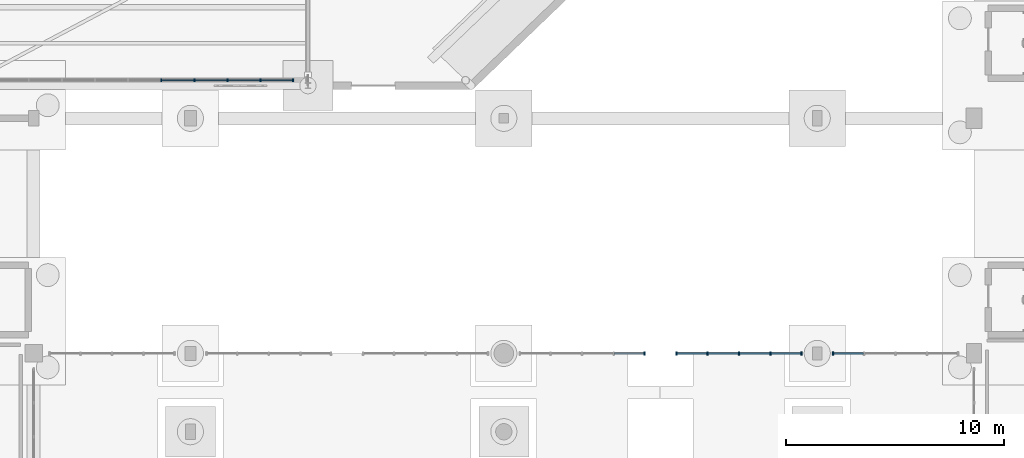
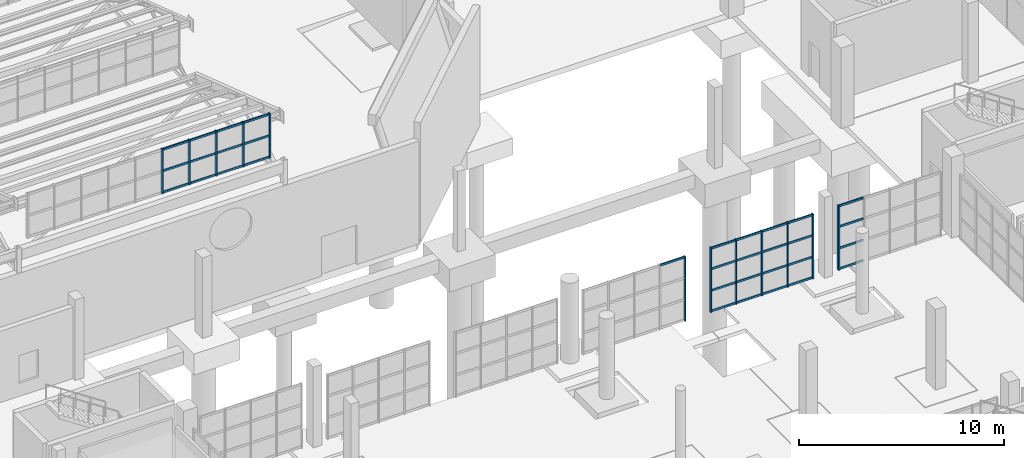
# One storey, part 113 of 285: 45 members, 4 elements without a shape of their own.
"""IFC4 building model written with IfcOpenShell, lengths in metres."""

from ifc_helpers import new_model, si_unit, direction, frame, origin, origin_2d, place, context, subcontext, project, spatial, rectangle, extrude, material, material_profile, profile_set, type_object, element, aggregate, save


model = new_model("IFC4")

# Units and contexts
model_context = context("Model", 3, precision=1e-05, world=origin(), true_north=direction((0.0, 1.0)))
body_context = subcontext(model_context, "Body", "Model", "MODEL_VIEW")
ifc_project = project(units=[si_unit("LENGTHUNIT", "METRE"), si_unit("AREAUNIT", "SQUARE_METRE"), si_unit("VOLUMEUNIT", "CUBIC_METRE"), si_unit("PLANEANGLEUNIT", "RADIAN"), si_unit("MASSUNIT", "GRAM", prefix="KILO")], contexts=[model_context])

# Site, building, storey
site_placement = place(None, origin())
site = spatial("IfcSite", under=ifc_project, at=site_placement, CompositionType="ELEMENT")
building_placement = place(site_placement, origin())
building = spatial("IfcBuilding", under=site, at=building_placement, Name="Solanera Park Tramway Depot", CompositionType="ELEMENT")
storey_placement = place(building_placement, origin())
storey = spatial("IfcBuildingStorey", under=building, at=storey_placement, Name="L00", CompositionType="ELEMENT", Elevation=0.0)

# Curtain wall, members
ifc_material_1 = material(Name="Bronze-anodised thermally broken aluminium curtain wall", Category="aluminium")
curtain_wall_type_1 = type_object("IfcCurtainWallType", Name="Sawtooth Clerestory Monitor Curtain Wall", PredefinedType="NOTDEFINED", material=ifc_material_1)
curtain_wall_1_placement = place(storey_placement, origin())
curtain_wall_1 = element("IfcCurtainWall", 1, at=curtain_wall_1_placement, inside=storey, type_object=curtain_wall_type_1, Name="L00 Sawtooth Clerestory Monitor Curtain Wall #003", PredefinedType="NOTDEFINED")
ifc_material_2 = material(Name="Bronze-anodised structural aluminium 6063-T6", Category="aluminium")
ifc_material_profile_1 = material_profile(ifc_material_2, rectangle(XDim=0.06494140625, YDim=0.14990234375, at=origin_2d()), Name="Curtain Wall Mullion 65x150")
ifc_profile_set_1 = profile_set([ifc_material_profile_1], Name="Bronze-anodised structural aluminium 6063-T6")
member_type_1 = type_object("IfcMemberType", Name="Curtain Wall Mullion 65x150", PredefinedType="MULLION", material=ifc_profile_set_1)
member_1_placement = place(storey_placement, frame((128.260986328125, 55.75, 7.75), z_axis=(0.0, 0.0, 1.0), x_axis=(1.0, 0.0, 0.0)))
member_1 = element("IfcMember", 2, at=member_1_placement, type_object=member_type_1, Name="CW-L00-003 Mullion 6", PredefinedType="MULLION", context=body_context, shape_type="SweptSolid", body=[
    extrude(rectangle(XDim=0.06494140625, YDim=0.14990234375, at=origin_2d()), origin(), (0.0, 0.0, 1.0), 2.6611328125),
])
member_2_placement = place(storey_placement, frame((129.783203125, 55.75, 7.75), z_axis=(0.0, 0.0, 1.0), x_axis=(1.0, 0.0, 0.0)))
member_2 = element("IfcMember", 3, at=member_2_placement, type_object=member_type_1, Name="CW-L00-003 Mullion 7", PredefinedType="MULLION", context=body_context, shape_type="SweptSolid", body=[
    extrude(rectangle(XDim=0.06494140625, YDim=0.14990234375, at=origin_2d()), origin(), (0.0, 0.0, 1.0), 2.6611328125),
])
member_3_placement = place(storey_placement, frame((131.3056640625, 55.75, 7.75), z_axis=(0.0, 0.0, 1.0), x_axis=(1.0, 0.0, 0.0)))
member_3 = element("IfcMember", 4, at=member_3_placement, type_object=member_type_1, Name="CW-L00-003 Mullion 8", PredefinedType="MULLION", context=body_context, shape_type="SweptSolid", body=[
    extrude(rectangle(XDim=0.06494140625, YDim=0.14990234375, at=origin_2d()), origin(), (0.0, 0.0, 1.0), 2.6611328125),
])
member_4_placement = place(storey_placement, frame((132.827880859375, 55.75, 7.75), z_axis=(0.0, 0.0, 1.0), x_axis=(1.0, 0.0, 0.0)))
member_4 = element("IfcMember", 5, at=member_4_placement, type_object=member_type_1, Name="CW-L00-003 Mullion 9", PredefinedType="MULLION", context=body_context, shape_type="SweptSolid", body=[
    extrude(rectangle(XDim=0.06494140625, YDim=0.14990234375, at=origin_2d()), origin(), (0.0, 0.0, 1.0), 2.6611328125),
])
member_5_placement = place(storey_placement, frame((134.3173828125, 55.75, 7.75), z_axis=(0.0, 0.0, 1.0), x_axis=(1.0, 0.0, 0.0)))
member_5 = element("IfcMember", 6, at=member_5_placement, type_object=member_type_1, Name="CW-L00-003 Mullion 10", PredefinedType="MULLION", context=body_context, shape_type="SweptSolid", body=[
    extrude(rectangle(XDim=0.06494140625, YDim=0.14990234375, at=origin_2d()), origin(), (0.0, 0.0, 1.0), 2.6611328125),
])

# Curtain wall, member
ifc_material_3 = material(Name="Bronze-anodised thermally broken aluminium curtain wall", Category="aluminium")
curtain_wall_type_2 = type_object("IfcCurtainWallType", Name="Courtyard Cloister Unitised Curtain Wall", PredefinedType="NOTDEFINED", material=ifc_material_3)
curtain_wall_2_placement = place(storey_placement, origin())
curtain_wall_2 = element("IfcCurtainWall", 7, at=curtain_wall_2_placement, inside=storey, type_object=curtain_wall_type_2, Name="L00 Courtyard Cloister Unitised Curtain Wall #081", PredefinedType="NOTDEFINED")
member_6_placement = place(storey_placement, frame((150.467529296875, 43.199951171875, 0.0), z_axis=(0.0, 0.0, 1.0), x_axis=(1.0, 0.0, 0.0)))
member_6 = element("IfcMember", 8, at=member_6_placement, type_object=member_type_1, Name="CW-L00-081 Mullion 1", PredefinedType="MULLION", context=body_context, shape_type="SweptSolid", body=[
    extrude(rectangle(XDim=0.06494140625, YDim=0.14990234375, at=origin_2d()), origin(), (0.0, 0.0, 1.0), 3.85009765625),
])

# Curtain wall, members
curtain_wall_3_placement = place(storey_placement, origin())
curtain_wall_3 = element("IfcCurtainWall", 9, at=curtain_wall_3_placement, inside=storey, type_object=curtain_wall_type_2, Name="L00 Courtyard Cloister Unitised Curtain Wall #082", PredefinedType="NOTDEFINED")
member_7_placement = place(storey_placement, frame((157.66748046875, 43.199951171875, 0.0), z_axis=(0.0, 0.0, 1.0), x_axis=(1.0, 0.0, 0.0)))
member_7 = element("IfcMember", 10, at=member_7_placement, type_object=member_type_1, Name="CW-L00-082 Mullion 1", PredefinedType="MULLION", context=body_context, shape_type="SweptSolid", body=[
    extrude(rectangle(XDim=0.06494140625, YDim=0.14990234375, at=origin_2d()), origin(), (0.0, 0.0, 1.0), 3.85009765625),
])
member_8_placement = place(storey_placement, frame((156.25, 43.199951171875, 0.0), z_axis=(0.0, 0.0, 1.0), x_axis=(1.0, 0.0, 0.0)))
member_8 = element("IfcMember", 11, at=member_8_placement, type_object=member_type_1, Name="CW-L00-082 Mullion 2", PredefinedType="MULLION", context=body_context, shape_type="SweptSolid", body=[
    extrude(rectangle(XDim=0.06494140625, YDim=0.14990234375, at=origin_2d()), origin(), (0.0, 0.0, 1.0), 3.85009765625),
])
member_9_placement = place(storey_placement, frame((154.800048828125, 43.199951171875, 0.0), z_axis=(0.0, 0.0, 1.0), x_axis=(1.0, 0.0, 0.0)))
member_9 = element("IfcMember", 12, at=member_9_placement, type_object=member_type_1, Name="CW-L00-082 Mullion 3", PredefinedType="MULLION", context=body_context, shape_type="SweptSolid", body=[
    extrude(rectangle(XDim=0.06494140625, YDim=0.14990234375, at=origin_2d()), origin(), (0.0, 0.0, 1.0), 3.85009765625),
])
member_10_placement = place(storey_placement, frame((153.35009765625, 43.199951171875, 0.0), z_axis=(0.0, 0.0, 1.0), x_axis=(1.0, 0.0, 0.0)))
member_10 = element("IfcMember", 13, at=member_10_placement, type_object=member_type_1, Name="CW-L00-082 Mullion 4", PredefinedType="MULLION", context=body_context, shape_type="SweptSolid", body=[
    extrude(rectangle(XDim=0.06494140625, YDim=0.14990234375, at=origin_2d()), origin(), (0.0, 0.0, 1.0), 3.85009765625),
])
member_11_placement = place(storey_placement, frame((151.9326171875, 43.199951171875, 0.0), z_axis=(0.0, 0.0, 1.0), x_axis=(1.0, 0.0, 0.0)))
member_11 = element("IfcMember", 14, at=member_11_placement, type_object=member_type_1, Name="CW-L00-082 Mullion 5", PredefinedType="MULLION", context=body_context, shape_type="SweptSolid", body=[
    extrude(rectangle(XDim=0.06494140625, YDim=0.14990234375, at=origin_2d()), origin(), (0.0, 0.0, 1.0), 3.85009765625),
])

# Curtain wall, member
curtain_wall_4_placement = place(storey_placement, origin())
curtain_wall_4 = element("IfcCurtainWall", 15, at=curtain_wall_4_placement, inside=storey, type_object=curtain_wall_type_2, Name="L00 Courtyard Cloister Unitised Curtain Wall #083", PredefinedType="NOTDEFINED")
member_12_placement = place(storey_placement, frame((159.132568359375, 43.199951171875, 0.0), z_axis=(0.0, 0.0, 1.0), x_axis=(1.0, 0.0, 0.0)))
member_12 = element("IfcMember", 16, at=member_12_placement, type_object=member_type_1, Name="CW-L00-083 Mullion 5", PredefinedType="MULLION", context=body_context, shape_type="SweptSolid", body=[
    extrude(rectangle(XDim=0.06494140625, YDim=0.14990234375, at=origin_2d()), origin(), (0.0, 0.0, 1.0), 3.85009765625),
])

# Member
ifc_material_4 = material(Name="Bronze-anodised structural aluminium 6063-T6", Category="aluminium")
ifc_material_profile_2 = material_profile(ifc_material_4, rectangle(XDim=0.06494140625, YDim=0.1201171875, at=origin_2d()), Name="Curtain Wall Transom 65x120")
ifc_profile_set_2 = profile_set([ifc_material_profile_2], Name="Bronze-anodised structural aluminium 6063-T6")
member_type_2 = type_object("IfcMemberType", Name="Curtain Wall Transom 65x120", PredefinedType="USERDEFINED", material=ifc_profile_set_2)
member_13_placement = place(storey_placement, frame((128.2890625, 55.75, 7.81005859375), z_axis=(1.0, 0.0, 0.0), x_axis=(0.0, 1.0, 0.0)))
member_13 = element("IfcMember", 17, at=member_13_placement, type_object=member_type_2, Name="CW-L00-003 Transom R1.C6", ObjectType="TRANSOM", PredefinedType="USERDEFINED", context=body_context, shape_type="SweptSolid", body=[
    extrude(rectangle(XDim=0.06494140625, YDim=0.1201171875, at=origin_2d()), origin(), (0.0, 0.0, 1.0), 1.46630859375),
])

member_14_placement = place(storey_placement, frame((129.811279296875, 55.75, 7.81005859375), z_axis=(1.0, 0.0, 0.0), x_axis=(0.0, 1.0, 0.0)))
member_14 = element("IfcMember", 18, at=member_14_placement, type_object=member_type_2, Name="CW-L00-003 Transom R1.C7", ObjectType="TRANSOM", PredefinedType="USERDEFINED", context=body_context, shape_type="SweptSolid", body=[
    extrude(rectangle(XDim=0.06494140625, YDim=0.1201171875, at=origin_2d()), origin(), (0.0, 0.0, 1.0), 1.46630859375),
])

member_15_placement = place(storey_placement, frame((131.33349609375, 55.75, 7.81005859375), z_axis=(1.0, 0.0, 0.0), x_axis=(0.0, 1.0, 0.0)))
member_15 = element("IfcMember", 19, at=member_15_placement, type_object=member_type_2, Name="CW-L00-003 Transom R1.C8", ObjectType="TRANSOM", PredefinedType="USERDEFINED", context=body_context, shape_type="SweptSolid", body=[
    extrude(rectangle(XDim=0.06494140625, YDim=0.1201171875, at=origin_2d()), origin(), (0.0, 0.0, 1.0), 1.46630859375),
])

member_16_placement = place(storey_placement, frame((132.855712890625, 55.75, 7.81005859375), z_axis=(1.0, 0.0, 0.0), x_axis=(0.0, 1.0, 0.0)))
member_16 = element("IfcMember", 20, at=member_16_placement, type_object=member_type_2, Name="CW-L00-003 Transom R1.C9", ObjectType="TRANSOM", PredefinedType="USERDEFINED", context=body_context, shape_type="SweptSolid", body=[
    extrude(rectangle(XDim=0.06494140625, YDim=0.1201171875, at=origin_2d()), origin(), (0.0, 0.0, 1.0), 1.433837890625),
])

member_17_placement = place(storey_placement, frame((128.2890625, 55.75, 9.08056640625), z_axis=(1.0, 0.0, 0.0), x_axis=(0.0, 1.0, 0.0)))
member_17 = element("IfcMember", 21, at=member_17_placement, type_object=member_type_2, Name="CW-L00-003 Transom R2.C6", ObjectType="TRANSOM", PredefinedType="USERDEFINED", context=body_context, shape_type="SweptSolid", body=[
    extrude(rectangle(XDim=0.06494140625, YDim=0.1201171875, at=origin_2d()), origin(), (0.0, 0.0, 1.0), 1.46630859375),
])

member_18_placement = place(storey_placement, frame((129.811279296875, 55.75, 9.08056640625), z_axis=(1.0, 0.0, 0.0), x_axis=(0.0, 1.0, 0.0)))
member_18 = element("IfcMember", 22, at=member_18_placement, type_object=member_type_2, Name="CW-L00-003 Transom R2.C7", ObjectType="TRANSOM", PredefinedType="USERDEFINED", context=body_context, shape_type="SweptSolid", body=[
    extrude(rectangle(XDim=0.06494140625, YDim=0.1201171875, at=origin_2d()), origin(), (0.0, 0.0, 1.0), 1.46630859375),
])

member_19_placement = place(storey_placement, frame((131.33349609375, 55.75, 9.08056640625), z_axis=(1.0, 0.0, 0.0), x_axis=(0.0, 1.0, 0.0)))
member_19 = element("IfcMember", 23, at=member_19_placement, type_object=member_type_2, Name="CW-L00-003 Transom R2.C8", ObjectType="TRANSOM", PredefinedType="USERDEFINED", context=body_context, shape_type="SweptSolid", body=[
    extrude(rectangle(XDim=0.06494140625, YDim=0.1201171875, at=origin_2d()), origin(), (0.0, 0.0, 1.0), 1.46630859375),
])

member_20_placement = place(storey_placement, frame((132.855712890625, 55.75, 9.08056640625), z_axis=(1.0, 0.0, 0.0), x_axis=(0.0, 1.0, 0.0)))
member_20 = element("IfcMember", 24, at=member_20_placement, type_object=member_type_2, Name="CW-L00-003 Transom R2.C9", ObjectType="TRANSOM", PredefinedType="USERDEFINED", context=body_context, shape_type="SweptSolid", body=[
    extrude(rectangle(XDim=0.06494140625, YDim=0.1201171875, at=origin_2d()), origin(), (0.0, 0.0, 1.0), 1.433837890625),
])

member_21_placement = place(storey_placement, frame((128.2890625, 55.75, 10.351318359375), z_axis=(1.0, 0.0, 0.0), x_axis=(0.0, 1.0, 0.0)))
member_21 = element("IfcMember", 25, at=member_21_placement, type_object=member_type_2, Name="CW-L00-003 Transom R3.C6", ObjectType="TRANSOM", PredefinedType="USERDEFINED", context=body_context, shape_type="SweptSolid", body=[
    extrude(rectangle(XDim=0.06494140625, YDim=0.1201171875, at=origin_2d()), origin(), (0.0, 0.0, 1.0), 1.46630859375),
])

member_22_placement = place(storey_placement, frame((129.811279296875, 55.75, 10.351318359375), z_axis=(1.0, 0.0, 0.0), x_axis=(0.0, 1.0, 0.0)))
member_22 = element("IfcMember", 26, at=member_22_placement, type_object=member_type_2, Name="CW-L00-003 Transom R3.C7", ObjectType="TRANSOM", PredefinedType="USERDEFINED", context=body_context, shape_type="SweptSolid", body=[
    extrude(rectangle(XDim=0.06494140625, YDim=0.1201171875, at=origin_2d()), origin(), (0.0, 0.0, 1.0), 1.46630859375),
])

member_23_placement = place(storey_placement, frame((131.33349609375, 55.75, 10.351318359375), z_axis=(1.0, 0.0, 0.0), x_axis=(0.0, 1.0, 0.0)))
member_23 = element("IfcMember", 27, at=member_23_placement, type_object=member_type_2, Name="CW-L00-003 Transom R3.C8", ObjectType="TRANSOM", PredefinedType="USERDEFINED", context=body_context, shape_type="SweptSolid", body=[
    extrude(rectangle(XDim=0.06494140625, YDim=0.1201171875, at=origin_2d()), origin(), (0.0, 0.0, 1.0), 1.46630859375),
])

member_24_placement = place(storey_placement, frame((132.855712890625, 55.75, 10.351318359375), z_axis=(1.0, 0.0, 0.0), x_axis=(0.0, 1.0, 0.0)))
member_24 = element("IfcMember", 28, at=member_24_placement, type_object=member_type_2, Name="CW-L00-003 Transom R3.C9", ObjectType="TRANSOM", PredefinedType="USERDEFINED", context=body_context, shape_type="SweptSolid", body=[
    extrude(rectangle(XDim=0.06494140625, YDim=0.1201171875, at=origin_2d()), origin(), (0.0, 0.0, 1.0), 1.433837890625),
])

aggregate(curtain_wall_1, [member_1, member_2, member_3, member_4, member_5, member_13, member_14, member_15, member_16, member_17, member_18, member_19, member_20, member_21, member_22, member_23, member_24])

member_25_placement = place(storey_placement, frame((150.439453125, 43.199951171875, 3.7900390625), z_axis=(-1.0, 0.0, 0.0), x_axis=(0.0, -1.0, 0.0)))
member_25 = element("IfcMember", 29, at=member_25_placement, type_object=member_type_2, Name="CW-L00-081 Transom R4.C1", ObjectType="TRANSOM", PredefinedType="USERDEFINED", context=body_context, shape_type="SweptSolid", body=[
    extrude(rectangle(XDim=0.06494140625, YDim=0.1201171875, at=origin_2d()), origin(), (0.0, 0.0, 1.0), 1.361572265625),
])

aggregate(curtain_wall_2, [member_6, member_25])

member_26_placement = place(storey_placement, frame((157.639404296875, 43.199951171875, 0.06005859375), z_axis=(-1.0, 0.0, 0.0), x_axis=(0.0, -1.0, 0.0)))
member_26 = element("IfcMember", 30, at=member_26_placement, type_object=member_type_2, Name="CW-L00-082 Transom R1.C1", ObjectType="TRANSOM", PredefinedType="USERDEFINED", context=body_context, shape_type="SweptSolid", body=[
    extrude(rectangle(XDim=0.06494140625, YDim=0.1201171875, at=origin_2d()), origin(), (0.0, 0.0, 1.0), 1.361328125),
])

member_27_placement = place(storey_placement, frame((156.221923828125, 43.199951171875, 0.06005859375), z_axis=(-1.0, 0.0, 0.0), x_axis=(0.0, -1.0, 0.0)))
member_27 = element("IfcMember", 31, at=member_27_placement, type_object=member_type_2, Name="CW-L00-082 Transom R1.C2", ObjectType="TRANSOM", PredefinedType="USERDEFINED", context=body_context, shape_type="SweptSolid", body=[
    extrude(rectangle(XDim=0.06494140625, YDim=0.1201171875, at=origin_2d()), origin(), (0.0, 0.0, 1.0), 1.39404296875),
])

member_28_placement = place(storey_placement, frame((154.77197265625, 43.199951171875, 0.06005859375), z_axis=(-1.0, 0.0, 0.0), x_axis=(0.0, -1.0, 0.0)))
member_28 = element("IfcMember", 32, at=member_28_placement, type_object=member_type_2, Name="CW-L00-082 Transom R1.C3", ObjectType="TRANSOM", PredefinedType="USERDEFINED", context=body_context, shape_type="SweptSolid", body=[
    extrude(rectangle(XDim=0.06494140625, YDim=0.1201171875, at=origin_2d()), origin(), (0.0, 0.0, 1.0), 1.39404296875),
])

member_29_placement = place(storey_placement, frame((153.322021484375, 43.199951171875, 0.06005859375), z_axis=(-1.0, 0.0, 0.0), x_axis=(0.0, -1.0, 0.0)))
member_29 = element("IfcMember", 33, at=member_29_placement, type_object=member_type_2, Name="CW-L00-082 Transom R1.C4", ObjectType="TRANSOM", PredefinedType="USERDEFINED", context=body_context, shape_type="SweptSolid", body=[
    extrude(rectangle(XDim=0.06494140625, YDim=0.1201171875, at=origin_2d()), origin(), (0.0, 0.0, 1.0), 1.361572265625),
])

member_30_placement = place(storey_placement, frame((157.639404296875, 43.199951171875, 1.283203125), z_axis=(-1.0, 0.0, 0.0), x_axis=(0.0, -1.0, 0.0)))
member_30 = element("IfcMember", 34, at=member_30_placement, type_object=member_type_2, Name="CW-L00-082 Transom R2.C1", ObjectType="TRANSOM", PredefinedType="USERDEFINED", context=body_context, shape_type="SweptSolid", body=[
    extrude(rectangle(XDim=0.06494140625, YDim=0.1201171875, at=origin_2d()), origin(), (0.0, 0.0, 1.0), 1.361328125),
])

member_31_placement = place(storey_placement, frame((156.221923828125, 43.199951171875, 1.283203125), z_axis=(-1.0, 0.0, 0.0), x_axis=(0.0, -1.0, 0.0)))
member_31 = element("IfcMember", 35, at=member_31_placement, type_object=member_type_2, Name="CW-L00-082 Transom R2.C2", ObjectType="TRANSOM", PredefinedType="USERDEFINED", context=body_context, shape_type="SweptSolid", body=[
    extrude(rectangle(XDim=0.06494140625, YDim=0.1201171875, at=origin_2d()), origin(), (0.0, 0.0, 1.0), 1.39404296875),
])

member_32_placement = place(storey_placement, frame((154.77197265625, 43.199951171875, 1.283203125), z_axis=(-1.0, 0.0, 0.0), x_axis=(0.0, -1.0, 0.0)))
member_32 = element("IfcMember", 36, at=member_32_placement, type_object=member_type_2, Name="CW-L00-082 Transom R2.C3", ObjectType="TRANSOM", PredefinedType="USERDEFINED", context=body_context, shape_type="SweptSolid", body=[
    extrude(rectangle(XDim=0.06494140625, YDim=0.1201171875, at=origin_2d()), origin(), (0.0, 0.0, 1.0), 1.39404296875),
])

member_33_placement = place(storey_placement, frame((153.322021484375, 43.199951171875, 1.283203125), z_axis=(-1.0, 0.0, 0.0), x_axis=(0.0, -1.0, 0.0)))
member_33 = element("IfcMember", 37, at=member_33_placement, type_object=member_type_2, Name="CW-L00-082 Transom R2.C4", ObjectType="TRANSOM", PredefinedType="USERDEFINED", context=body_context, shape_type="SweptSolid", body=[
    extrude(rectangle(XDim=0.06494140625, YDim=0.1201171875, at=origin_2d()), origin(), (0.0, 0.0, 1.0), 1.361572265625),
])

member_34_placement = place(storey_placement, frame((157.639404296875, 43.199951171875, 2.566650390625), z_axis=(-1.0, 0.0, 0.0), x_axis=(0.0, -1.0, 0.0)))
member_34 = element("IfcMember", 38, at=member_34_placement, type_object=member_type_2, Name="CW-L00-082 Transom R3.C1", ObjectType="TRANSOM", PredefinedType="USERDEFINED", context=body_context, shape_type="SweptSolid", body=[
    extrude(rectangle(XDim=0.06494140625, YDim=0.1201171875, at=origin_2d()), origin(), (0.0, 0.0, 1.0), 1.361328125),
])

member_35_placement = place(storey_placement, frame((156.221923828125, 43.199951171875, 2.566650390625), z_axis=(-1.0, 0.0, 0.0), x_axis=(0.0, -1.0, 0.0)))
member_35 = element("IfcMember", 39, at=member_35_placement, type_object=member_type_2, Name="CW-L00-082 Transom R3.C2", ObjectType="TRANSOM", PredefinedType="USERDEFINED", context=body_context, shape_type="SweptSolid", body=[
    extrude(rectangle(XDim=0.06494140625, YDim=0.1201171875, at=origin_2d()), origin(), (0.0, 0.0, 1.0), 1.39404296875),
])

member_36_placement = place(storey_placement, frame((154.77197265625, 43.199951171875, 2.566650390625), z_axis=(-1.0, 0.0, 0.0), x_axis=(0.0, -1.0, 0.0)))
member_36 = element("IfcMember", 40, at=member_36_placement, type_object=member_type_2, Name="CW-L00-082 Transom R3.C3", ObjectType="TRANSOM", PredefinedType="USERDEFINED", context=body_context, shape_type="SweptSolid", body=[
    extrude(rectangle(XDim=0.06494140625, YDim=0.1201171875, at=origin_2d()), origin(), (0.0, 0.0, 1.0), 1.39404296875),
])

member_37_placement = place(storey_placement, frame((153.322021484375, 43.199951171875, 2.566650390625), z_axis=(-1.0, 0.0, 0.0), x_axis=(0.0, -1.0, 0.0)))
member_37 = element("IfcMember", 41, at=member_37_placement, type_object=member_type_2, Name="CW-L00-082 Transom R3.C4", ObjectType="TRANSOM", PredefinedType="USERDEFINED", context=body_context, shape_type="SweptSolid", body=[
    extrude(rectangle(XDim=0.06494140625, YDim=0.1201171875, at=origin_2d()), origin(), (0.0, 0.0, 1.0), 1.361572265625),
])

member_38_placement = place(storey_placement, frame((157.639404296875, 43.199951171875, 3.7900390625), z_axis=(-1.0, 0.0, 0.0), x_axis=(0.0, -1.0, 0.0)))
member_38 = element("IfcMember", 42, at=member_38_placement, type_object=member_type_2, Name="CW-L00-082 Transom R4.C1", ObjectType="TRANSOM", PredefinedType="USERDEFINED", context=body_context, shape_type="SweptSolid", body=[
    extrude(rectangle(XDim=0.06494140625, YDim=0.1201171875, at=origin_2d()), origin(), (0.0, 0.0, 1.0), 1.361328125),
])

member_39_placement = place(storey_placement, frame((156.221923828125, 43.199951171875, 3.7900390625), z_axis=(-1.0, 0.0, 0.0), x_axis=(0.0, -1.0, 0.0)))
member_39 = element("IfcMember", 43, at=member_39_placement, type_object=member_type_2, Name="CW-L00-082 Transom R4.C2", ObjectType="TRANSOM", PredefinedType="USERDEFINED", context=body_context, shape_type="SweptSolid", body=[
    extrude(rectangle(XDim=0.06494140625, YDim=0.1201171875, at=origin_2d()), origin(), (0.0, 0.0, 1.0), 1.39404296875),
])

member_40_placement = place(storey_placement, frame((154.77197265625, 43.199951171875, 3.7900390625), z_axis=(-1.0, 0.0, 0.0), x_axis=(0.0, -1.0, 0.0)))
member_40 = element("IfcMember", 44, at=member_40_placement, type_object=member_type_2, Name="CW-L00-082 Transom R4.C3", ObjectType="TRANSOM", PredefinedType="USERDEFINED", context=body_context, shape_type="SweptSolid", body=[
    extrude(rectangle(XDim=0.06494140625, YDim=0.1201171875, at=origin_2d()), origin(), (0.0, 0.0, 1.0), 1.39404296875),
])

member_41_placement = place(storey_placement, frame((153.322021484375, 43.199951171875, 3.7900390625), z_axis=(-1.0, 0.0, 0.0), x_axis=(0.0, -1.0, 0.0)))
member_41 = element("IfcMember", 45, at=member_41_placement, type_object=member_type_2, Name="CW-L00-082 Transom R4.C4", ObjectType="TRANSOM", PredefinedType="USERDEFINED", context=body_context, shape_type="SweptSolid", body=[
    extrude(rectangle(XDim=0.06494140625, YDim=0.1201171875, at=origin_2d()), origin(), (0.0, 0.0, 1.0), 1.361572265625),
])

aggregate(curtain_wall_3, [member_7, member_8, member_9, member_10, member_11, member_26, member_27, member_28, member_29, member_30, member_31, member_32, member_33, member_34, member_35, member_36, member_37, member_38, member_39, member_40, member_41])

member_42_placement = place(storey_placement, frame((160.52197265625, 43.199951171875, 0.06005859375), z_axis=(-1.0, 0.0, 0.0), x_axis=(0.0, -1.0, 0.0)))
member_42 = element("IfcMember", 46, at=member_42_placement, type_object=member_type_2, Name="CW-L00-083 Transom R1.C4", ObjectType="TRANSOM", PredefinedType="USERDEFINED", context=body_context, shape_type="SweptSolid", body=[
    extrude(rectangle(XDim=0.06494140625, YDim=0.1201171875, at=origin_2d()), origin(), (0.0, 0.0, 1.0), 1.361572265625),
])

member_43_placement = place(storey_placement, frame((160.52197265625, 43.199951171875, 1.283203125), z_axis=(-1.0, 0.0, 0.0), x_axis=(0.0, -1.0, 0.0)))
member_43 = element("IfcMember", 47, at=member_43_placement, type_object=member_type_2, Name="CW-L00-083 Transom R2.C4", ObjectType="TRANSOM", PredefinedType="USERDEFINED", context=body_context, shape_type="SweptSolid", body=[
    extrude(rectangle(XDim=0.06494140625, YDim=0.1201171875, at=origin_2d()), origin(), (0.0, 0.0, 1.0), 1.361572265625),
])

member_44_placement = place(storey_placement, frame((160.52197265625, 43.199951171875, 2.566650390625), z_axis=(-1.0, 0.0, 0.0), x_axis=(0.0, -1.0, 0.0)))
member_44 = element("IfcMember", 48, at=member_44_placement, type_object=member_type_2, Name="CW-L00-083 Transom R3.C4", ObjectType="TRANSOM", PredefinedType="USERDEFINED", context=body_context, shape_type="SweptSolid", body=[
    extrude(rectangle(XDim=0.06494140625, YDim=0.1201171875, at=origin_2d()), origin(), (0.0, 0.0, 1.0), 1.361572265625),
])

member_45_placement = place(storey_placement, frame((160.52197265625, 43.199951171875, 3.7900390625), z_axis=(-1.0, 0.0, 0.0), x_axis=(0.0, -1.0, 0.0)))
member_45 = element("IfcMember", 49, at=member_45_placement, type_object=member_type_2, Name="CW-L00-083 Transom R4.C4", ObjectType="TRANSOM", PredefinedType="USERDEFINED", context=body_context, shape_type="SweptSolid", body=[
    extrude(rectangle(XDim=0.06494140625, YDim=0.1201171875, at=origin_2d()), origin(), (0.0, 0.0, 1.0), 1.361572265625),
])

aggregate(curtain_wall_4, [member_12, member_42, member_43, member_44, member_45])

save(model, "model.ifc")
